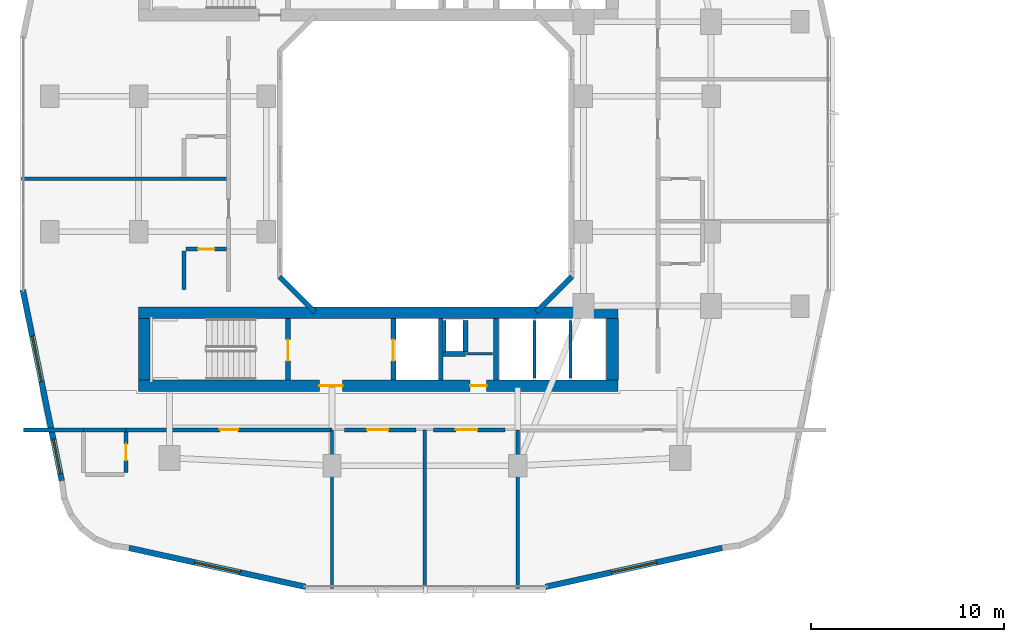
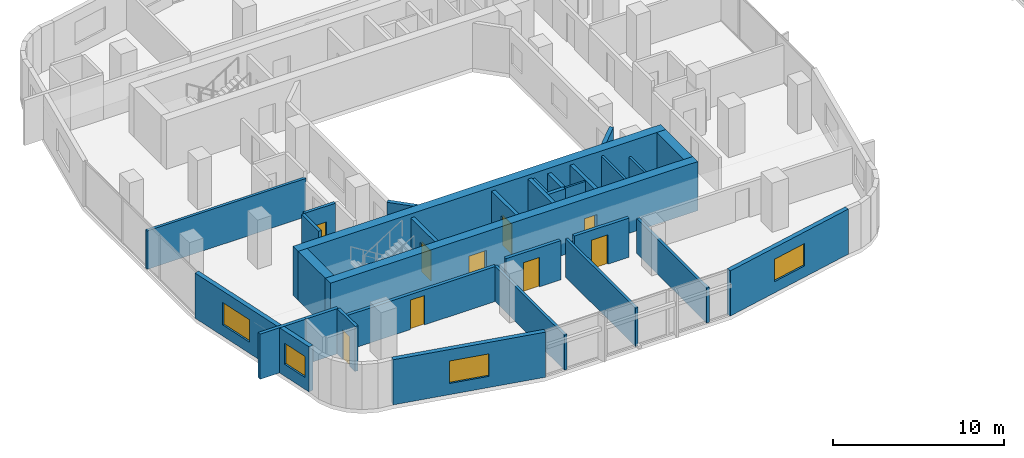
# One storey, part 13 of 26: 31 walls, 9 doors, 4 windows, 13 openings.
"""IFC4 building model written with IfcOpenShell, lengths in metres."""

from ifc_helpers import new_model, si_unit, derived_unit, direction, frame, frame_2d, origin, place, context, subcontext, project, spatial, rectangle, extrude, material, layer, layer_set, type_object, element, fill, save


model = new_model("IFC4")

# Units and contexts
model_context = context("Model", 3, precision=1e-05, world=origin(), true_north=direction((0.0, 1.0)))
body_context = subcontext(model_context, "Body", "Model", "MODEL_VIEW")
ifc_project = project(units=[si_unit("LENGTHUNIT", "METRE"), si_unit("AREAUNIT", "SQUARE_METRE"), si_unit("VOLUMEUNIT", "CUBIC_METRE"), si_unit("PLANEANGLEUNIT", "RADIAN"), si_unit("MASSUNIT", "GRAM", prefix="KILO"), derived_unit("THERMALTRANSMITTANCEUNIT", [(si_unit("POWERUNIT", "WATT"), 1), (si_unit("LENGTHUNIT", "METRE"), -2), (si_unit("THERMODYNAMICTEMPERATUREUNIT", "KELVIN"), -1)])], contexts=[model_context])

# Site, building, storey
site_placement = place(None, origin())
site = spatial("IfcSite", under=ifc_project, at=site_placement, CompositionType="ELEMENT")
building_placement = place(site_placement, origin())
building = spatial("IfcBuilding", under=site, at=building_placement, Name="Kivonza Crest Hotel", CompositionType="ELEMENT")
storey_placement = place(building_placement, frame((0.0, 0.0, 55.5)))
storey = spatial("IfcBuildingStorey", under=building, at=storey_placement, Name="L14", CompositionType="ELEMENT", Elevation=55.5)

# Walls
ifc_material_1 = material(Name="High-density acoustic masonry inter-tenancy wall", Category="masonry")
ifc_layer_1 = layer(ifc_material_1, 0.179931640625)
ifc_layer_set_1 = layer_set([ifc_layer_1], Name="High-density acoustic masonry inter-tenancy wall")
wall_type_1 = type_object("IfcWallType", Name="WL-ACOU-180", PredefinedType="SOLIDWALL", material=ifc_layer_set_1)
wall_1_placement = place(storey_placement, frame((16.199951171875, 3.06005859375, 0.0), z_axis=(0.0, 0.0, 1.0), x_axis=(0.0, 1.0, 0.0)))
element("IfcWall", 1, at=wall_1_placement, inside=storey, type_object=wall_type_1, Name="L14 interior partition WA-L14-T1S-DIV1", PredefinedType="SOLIDWALL", context=body_context, shape_type="SweptSolid", body=[
    extrude(rectangle(XDim=8.18994140625, YDim=0.179931640625, at=frame_2d((4.094970703125, 0.0))), origin(), (0.0, 0.0, 1.0), 2.4951171875),
])
wall_2_placement = place(storey_placement, frame((21.0, 3.06005859375, 0.0), z_axis=(0.0, 0.0, 1.0), x_axis=(0.0, 1.0, 0.0)))
element("IfcWall", 2, at=wall_2_placement, inside=storey, type_object=wall_type_1, Name="L14 interior partition WA-L14-T1S-SPDIV13", PredefinedType="SOLIDWALL", context=body_context, shape_type="SweptSolid", body=[
    extrude(rectangle(XDim=8.18994140625, YDim=0.179931640625, at=frame_2d((4.094970703125, 0.0))), origin(), (0.0, 0.0, 1.0), 2.7451171875),
])
wall_3_placement = place(storey_placement, frame((25.800048828125, 3.06005859375, 0.0), z_axis=(0.0, 0.0, 1.0), x_axis=(0.0, 1.0, 0.0)))
element("IfcWall", 3, at=wall_3_placement, inside=storey, type_object=wall_type_1, Name="L14 interior partition WA-L14-T1S-DIV2", PredefinedType="SOLIDWALL", context=body_context, shape_type="SweptSolid", body=[
    extrude(rectangle(XDim=8.18994140625, YDim=0.179931640625, at=frame_2d((4.094970703125, 0.0))), origin(), (0.0, 0.0, 1.0), 2.4951171875),
])
wall_4_placement = place(storey_placement, frame((0.139892578125, 24.22998046875, 0.0), z_axis=(0.0, 0.0, 1.0), x_axis=(1.0, 0.0, 0.0)))
element("IfcWall", 4, at=wall_4_placement, inside=storey, type_object=wall_type_1, Name="L14 interior partition WA-L14-T1W-DIV1", PredefinedType="SOLIDWALL", context=body_context, shape_type="SweptSolid", body=[
    extrude(rectangle(XDim=10.710205078125, YDim=0.179931640625, at=frame_2d((5.35498046875, 0.0))), origin(), (0.0, 0.0, 1.0), 2.7451171875),
])
ifc_material_2 = material(Name="Autoclaved aerated concrete blockwork", Category="masonry")
ifc_layer_2 = layer(ifc_material_2, 0.219970703125)
ifc_layer_set_2 = layer_set([ifc_layer_2], Name="Autoclaved aerated concrete blockwork")
wall_type_2 = type_object("IfcWallType", Name="WL-ACOU-220", PredefinedType="SOLIDWALL", material=ifc_layer_set_2)
wall_5_placement = place(storey_placement, frame((0.239990234375, 11.25, 0.0), z_axis=(0.0, 0.0, 1.0), x_axis=(1.0, 0.0, 0.0)))
element("IfcWall", 5, at=wall_5_placement, inside=storey, type_object=wall_type_2, Name="L14 interior partition WA-L14-S03-XCORR", PredefinedType="SOLIDWALL", context=body_context, shape_type="SweptSolid", body=[
    extrude(rectangle(XDim=3.110107421875, YDim=0.219970703125, at=frame_2d((1.55517578125, 0.0))), origin(), (0.0, 0.0, 1.0), 3.219970703125),
])
wall_6_placement = place(storey_placement, frame((3.35009765625, 11.25, 0.0), z_axis=(0.0, 0.0, 1.0), x_axis=(1.0, 0.0, 0.0)))
element("IfcWall", 6, at=wall_6_placement, inside=storey, type_object=wall_type_2, Name="L14 interior partition WA-L14-S03-BCORR", PredefinedType="SOLIDWALL", context=body_context, shape_type="SweptSolid", body=[
    extrude(rectangle(XDim=2.199951171875, YDim=0.219970703125, at=frame_2d((1.10009765625, 0.0))), origin(), (0.0, 0.0, 1.0), 3.219970703125),
])

# Wall, opening, door
wall_7_placement = place(storey_placement, frame((5.550048828125, 11.25, 0.0), z_axis=(0.0, 0.0, 1.0), x_axis=(1.0, 0.0, 0.0)))
wall_7 = element("IfcWall", 7, at=wall_7_placement, inside=storey, type_object=wall_type_2, Name="L14 interior partition WA-L14-S03-MCORR", PredefinedType="SOLIDWALL", context=body_context, shape_type="SweptSolid", body=[
    extrude(rectangle(XDim=10.64990234375, YDim=0.219970703125, at=frame_2d((5.324951171875, 0.0))), origin(), (0.0, 0.0, 1.0), 2.4951171875),
])
opening_1_placement = place(wall_7_placement, frame((4.85009765625, 0.0, 0.0)))
opening_1 = element("IfcOpeningElement", 8, at=opening_1_placement, cuts=wall_7, Name="Opening DU-60", PredefinedType="OPENING", context=body_context, shape_type="SweptSolid", body=[
    extrude(rectangle(XDim=0.949951171875, YDim=2.10009765625, at=frame_2d((0.47509765625, 1.050048828125))), frame((0.0, 0.1201171875, 0.0), z_axis=(0.0, -1.0, 0.0), x_axis=(1.0, 0.0, 0.0)), (0.0, 0.0, 1.0), 0.239990234375),
])
ifc_material_3 = material(Name="Hardwood timber oak", Category="wood")
door_type_1 = type_object("IfcDoorType", Name="DR-UNIT-950", OperationType="NOTDEFINED", PredefinedType="DOOR", material=ifc_material_3)
door_1_placement = place(opening_1_placement, frame((0.949951171875, 0.0, 0.0), z_axis=(0.0, 0.0, 1.0), x_axis=(-1.0, 0.0, 0.0)))
door_1 = element("IfcDoor", 9, at=door_1_placement, inside=storey, type_object=door_type_1, Name="L14 S03 guest unit entrance fire door", OperationType="SINGLE_SWING_LEFT", OverallHeight=2.10009765625, OverallWidth=0.949951171875, PredefinedType="DOOR", context=body_context, shape_type="SweptSolid", body=[
    extrude(rectangle(XDim=0.949951171875, YDim=2.10009765625, at=frame_2d((0.47509765625, 1.050048828125))), frame((0.0, 0.02490234375, 0.0), z_axis=(0.0, -1.0, 0.0), x_axis=(1.0, 0.0, 0.0)), (0.0, 0.0, 1.0), 0.050048828125),
])
fill(opening_1, door_1)

wall_8_placement = place(storey_placement, frame((16.85009765625, 11.25, 0.0), z_axis=(0.0, 0.0, 1.0), x_axis=(1.0, 0.0, 0.0)))
wall_8 = element("IfcWall", 10, at=wall_8_placement, inside=storey, type_object=wall_type_2, Name="L14 interior partition WA-L14-Z1-SPA13A-N", PredefinedType="SOLIDWALL", context=body_context, shape_type="SweptSolid", body=[
    extrude(rectangle(XDim=3.699951171875, YDim=0.219970703125, at=frame_2d((1.85009765625, 0.0))), origin(), (0.0, 0.0, 1.0), 2.794921875),
])
opening_2_placement = place(wall_8_placement, frame((1.159912109375, 0.0, 0.0)))
opening_2 = element("IfcOpeningElement", 11, at=opening_2_placement, cuts=wall_8, Name="Opening DF-60M", PredefinedType="OPENING", context=body_context, shape_type="SweptSolid", body=[
    extrude(rectangle(XDim=1.10009765625, YDim=2.10009765625, at=frame_2d((0.550048828125, 1.050048828125))), frame((0.0, 0.1201171875, 0.0), z_axis=(0.0, -1.0, 0.0), x_axis=(1.0, 0.0, 0.0)), (0.0, 0.0, 1.0), 0.239990234375),
])
door_type_2 = type_object("IfcDoorType", Name="DR-FD60-1100", OperationType="NOTDEFINED", PredefinedType="DOOR", material=ifc_material_3)
door_2_placement = place(opening_2_placement, frame((1.10009765625, 0.0, 0.0), z_axis=(0.0, 0.0, 1.0), x_axis=(-1.0, 0.0, 0.0)))
door_2 = element("IfcDoor", 12, at=door_2_placement, inside=storey, type_object=door_type_2, Name="L14 Low-Rise Fitness Studio door", OperationType="SINGLE_SWING_RIGHT", OverallHeight=2.10009765625, OverallWidth=1.10009765625, PredefinedType="DOOR", context=body_context, shape_type="SweptSolid", body=[
    extrude(rectangle(XDim=1.10009765625, YDim=2.10009765625, at=frame_2d((0.550048828125, 1.050048828125))), frame((0.0, 0.02490234375, 0.0), z_axis=(0.0, -1.0, 0.0), x_axis=(1.0, 0.0, 0.0)), (0.0, 0.0, 1.0), 0.050048828125),
])
fill(opening_2, door_2)

wall_9_placement = place(storey_placement, frame((21.449951171875, 11.25, 0.0), z_axis=(0.0, 0.0, 1.0), x_axis=(1.0, 0.0, 0.0)))
wall_9 = element("IfcWall", 13, at=wall_9_placement, inside=storey, type_object=wall_type_2, Name="L14 interior partition WA-L14-Z1-SPA13B-N", PredefinedType="SOLIDWALL", context=body_context, shape_type="SweptSolid", body=[
    extrude(rectangle(XDim=3.699951171875, YDim=0.219970703125, at=frame_2d((1.85009765625, 0.0))), origin(), (0.0, 0.0, 1.0), 2.794921875),
])
opening_3_placement = place(wall_9_placement, frame((1.159912109375, 0.0, 0.0)))
opening_3 = element("IfcOpeningElement", 14, at=opening_3_placement, cuts=wall_9, Name="Opening DF-60M", PredefinedType="OPENING", context=body_context, shape_type="SweptSolid", body=[
    extrude(rectangle(XDim=1.10009765625, YDim=2.10009765625, at=frame_2d((0.550048828125, 1.050048828125))), frame((0.0, 0.1201171875, 0.0), z_axis=(0.0, -1.0, 0.0), x_axis=(1.0, 0.0, 0.0)), (0.0, 0.0, 1.0), 0.239990234375),
])
door_3_placement = place(opening_3_placement, frame((1.10009765625, 0.0, 0.0), z_axis=(0.0, 0.0, 1.0), x_axis=(-1.0, 0.0, 0.0)))
door_3 = element("IfcDoor", 15, at=door_3_placement, inside=storey, type_object=door_type_2, Name="L14 Low-Rise Pilates Studio door", OperationType="SINGLE_SWING_LEFT", OverallHeight=2.10009765625, OverallWidth=1.10009765625, PredefinedType="DOOR", context=body_context, shape_type="SweptSolid", body=[
    extrude(rectangle(XDim=1.10009765625, YDim=2.10009765625, at=frame_2d((0.550048828125, 1.050048828125))), frame((0.0, 0.02490234375, 0.0), z_axis=(0.0, -1.0, 0.0), x_axis=(1.0, 0.0, 0.0)), (0.0, 0.0, 1.0), 0.050048828125),
])
fill(opening_3, door_3)

# Wall, openings, doors
ifc_material_4 = material(Name="Concrete C60/75", Category="concrete")
ifc_layer_3 = layer(ifc_material_4, 0.60009765625)
ifc_layer_set_3 = layer_set([ifc_layer_3], Name="Concrete C60/75")
wall_type_3 = type_object("IfcWallType", Name="WL-CORE-600", PredefinedType="SHEAR", material=ifc_layer_set_3)
wall_10_placement = place(storey_placement, frame((6.199951171875, 13.5400390625, 0.0), z_axis=(0.0, 0.0, 1.0), x_axis=(1.0, 0.0, 0.0)))
wall_10 = element("IfcWall", 16, at=wall_10_placement, inside=storey, type_object=wall_type_3, Name="Core wall T1-S South L14", PredefinedType="SHEAR", context=body_context, shape_type="SweptSolid", body=[
    extrude(rectangle(XDim=24.800048828125, YDim=0.60009765625, at=frame_2d((12.39990234375, 0.0))), origin(), (0.0, 0.0, 1.0), 3.5),
])
opening_4_placement = place(wall_10_placement, frame((9.35009765625, 0.0, 0.0)))
opening_4 = element("IfcOpeningElement", 17, at=opening_4_placement, cuts=wall_10, Name="Opening DF-60", PredefinedType="OPENING", context=body_context, shape_type="SweptSolid", body=[
    extrude(rectangle(XDim=1.199951171875, YDim=2.14990234375, at=frame_2d((0.60009765625, 1.074951171875))), frame((0.0, 0.31005859375, 0.0), z_axis=(0.0, -1.0, 0.0), x_axis=(1.0, 0.0, 0.0)), (0.0, 0.0, 1.0), 0.6201171875),
])
opening_5_placement = place(wall_10_placement, frame((17.139892578125, 0.0, 0.0)))
opening_5 = element("IfcOpeningElement", 18, at=opening_5_placement, cuts=wall_10, Name="Opening DF-60R", PredefinedType="OPENING", context=body_context, shape_type="SweptSolid", body=[
    extrude(rectangle(XDim=0.85009765625, YDim=2.10009765625, at=frame_2d((0.425048828125, 1.050048828125))), frame((0.0, 0.31005859375, 0.0), z_axis=(0.0, -1.0, 0.0), x_axis=(1.0, 0.0, 0.0)), (0.0, 0.0, 1.0), 0.6201171875),
])
door_type_3 = type_object("IfcDoorType", Name="DR-FD60-1200", OperationType="NOTDEFINED", PredefinedType="DOOR", material=ifc_material_3)
door_4_placement = place(opening_4_placement, frame((1.199951171875, 0.0, 0.0), z_axis=(0.0, 0.0, 1.0), x_axis=(-1.0, 0.0, 0.0)))
door_4 = element("IfcDoor", 19, at=door_4_placement, inside=storey, type_object=door_type_3, Name="L14 T1-S firefighting lobby fire door", OperationType="SINGLE_SWING_LEFT", OverallHeight=2.14990234375, OverallWidth=1.199951171875, PredefinedType="DOOR", context=body_context, shape_type="SweptSolid", body=[
    extrude(rectangle(XDim=1.199951171875, YDim=2.14990234375, at=frame_2d((0.60009765625, 1.074951171875))), frame((0.0, 0.02490234375, 0.0), z_axis=(0.0, -1.0, 0.0), x_axis=(1.0, 0.0, 0.0)), (0.0, 0.0, 1.0), 0.050048828125),
])
fill(opening_4, door_4)
door_type_4 = type_object("IfcDoorType", Name="DR-FD60-850", OperationType="NOTDEFINED", PredefinedType="DOOR", material=ifc_material_3)
door_5_placement = place(opening_5_placement, frame((0.85009765625, 0.0, 0.0), z_axis=(0.0, 0.0, 1.0), x_axis=(-1.0, 0.0, 0.0)))
door_5 = element("IfcDoor", 20, at=door_5_placement, inside=storey, type_object=door_type_4, Name="L14 T1-S core room door", OperationType="SINGLE_SWING_RIGHT", OverallHeight=2.10009765625, OverallWidth=0.85009765625, PredefinedType="DOOR", context=body_context, shape_type="SweptSolid", body=[
    extrude(rectangle(XDim=0.85009765625, YDim=2.10009765625, at=frame_2d((0.425048828125, 1.050048828125))), frame((0.0, 0.02490234375, 0.0), z_axis=(0.0, -1.0, 0.0), x_axis=(1.0, 0.0, 0.0)), (0.0, 0.0, 1.0), 0.050048828125),
])
fill(opening_5, door_5)

# Walls
wall_11_placement = place(storey_placement, frame((6.199951171875, 17.300048828125, 0.0), z_axis=(0.0, 0.0, 1.0), x_axis=(1.0, 0.0, 0.0)))
element("IfcWall", 21, at=wall_11_placement, inside=storey, type_object=wall_type_3, Name="Core wall T1-S North L14", PredefinedType="SHEAR", context=body_context, shape_type="SweptSolid", body=[
    extrude(rectangle(XDim=24.800048828125, YDim=0.60009765625, at=frame_2d((12.39990234375, 0.0))), origin(), (0.0, 0.0, 1.0), 3.5),
])
for number, where, z_axis, x_axis, name in (
    (22, (6.5, 13.840087890625, 0.0), (0.0, 0.0, 1.0), (0.0, 1.0, 0.0), "Core wall T1-S West L14"),
    (23, (30.699951171875, 13.840087890625, 0.0), (0.0, 0.0, 1.0), (0.0, 1.0, 0.0), "Core wall T1-S East L14"),
):
    element("IfcWall", number, at=place(storey_placement, frame(where, z_axis=z_axis, x_axis=x_axis)), inside=storey, type_object=wall_type_3, Name=name, PredefinedType="SHEAR", context=body_context, shape_type="SweptSolid", body=[
        extrude(rectangle(XDim=3.159912109375, YDim=0.60009765625, at=frame_2d((1.580078125, 0.0))), origin(), (0.0, 0.0, 1.0), 3.5),
    ])
ifc_material_5 = material(Name="Precast concrete C40/50", Category="concrete")
ifc_layer_4 = layer(ifc_material_5, 0.260009765625)
ifc_layer_set_4 = layer_set([ifc_layer_4], Name="Precast concrete C40/50")
wall_type_4 = type_object("IfcWallType", Name="WL-EXT-260", PredefinedType="STANDARD", material=ifc_layer_set_4)
wall_12_placement = place(storey_placement, frame((26.761962890625, 17.337890625, 0.0), z_axis=(0.0, 0.0, 1.0), x_axis=(0.707059717605, 0.707153841636, 0.0)))
element("IfcWall", 24, at=wall_12_placement, inside=storey, type_object=wall_type_4, Name="L14 T1 light-well exterior wall 2", PredefinedType="STANDARD", context=body_context, shape_type="SweptSolid", body=[
    extrude(rectangle(XDim=2.59375, YDim=0.260009765625, at=frame_2d((1.296875, 0.0))), origin(), (0.0, 0.0, 1.0), 3.219970703125),
])
wall_13_placement = place(storey_placement, frame((13.48388671875, 19.172119140625, 0.0), z_axis=(0.0, 0.0, 1.0), x_axis=(0.707106781187, -0.707106781187, 0.0)))
element("IfcWall", 25, at=wall_13_placement, inside=storey, type_object=wall_type_4, Name="L14 T1 light-well exterior wall 8", PredefinedType="STANDARD", context=body_context, shape_type="SweptSolid", body=[
    extrude(rectangle(XDim=2.593994140625, YDim=0.260009765625, at=frame_2d((1.296875, 0.0))), origin(), (0.0, 0.0, 1.0), 3.219970703125),
])

# Wall, opening, window
ifc_layer_5 = layer(ifc_material_5, 0.300048828125)
ifc_layer_set_5 = layer_set([ifc_layer_5], Name="Precast concrete C40/50")
wall_type_5 = type_object("IfcWallType", Name="WL-EXT-300", PredefinedType="STANDARD", material=ifc_layer_set_5)
wall_14_placement = place(storey_placement, frame((5.7041015625, 5.14794921875, 0.0), z_axis=(0.0, 0.0, 1.0), x_axis=(0.9765437942, -0.215318875183, 0.0)))
wall_14 = element("IfcWall", 26, at=wall_14_placement, inside=storey, type_object=wall_type_5, Name="L14 T1 exterior insulated wall 7", PredefinedType="STANDARD", context=body_context, shape_type="SweptSolid", body=[
    extrude(rectangle(XDim=9.353271484375, YDim=0.300048828125, at=frame_2d((4.6767578125, 0.0))), origin(), (0.0, 0.0, 1.0), 3.219970703125),
])
opening_6_placement = place(wall_14_placement, frame((3.47705078125, 0.0, 0.800048828125)))
opening_6 = element("IfcOpeningElement", 27, at=opening_6_placement, cuts=wall_14, Name="Opening WN-05", PredefinedType="OPENING", context=body_context, shape_type="SweptSolid", body=[
    extrude(rectangle(XDim=2.39990234375, YDim=1.60009765625, at=frame_2d((1.199951171875, 0.800048828125))), frame((0.0, 0.16015625, 0.0), z_axis=(0.0, -1.0, 0.0), x_axis=(1.0, 0.0, 0.0)), (0.0, 0.0, 1.0), 0.320068359375),
])
ifc_material_6 = material(Name="Thermally broken bronze aluminium and low-E double glazing", Category="aluminium")
window_type_1 = type_object("IfcWindowType", Name="WN-240x160", PartitioningType="TRIPLE_PANEL_VERTICAL", PredefinedType="WINDOW", material=ifc_material_6)
window_1_placement = place(opening_6_placement, origin())
window_1 = element("IfcWindow", 28, at=window_1_placement, inside=storey, type_object=window_type_1, Name="L14 T1 facade window 7", OverallHeight=1.60009765625, OverallWidth=2.39990234375, PartitioningType="SINGLE_PANEL", PredefinedType="WINDOW", context=body_context, shape_type="SweptSolid", body=[
    extrude(rectangle(XDim=2.39990234375, YDim=1.60009765625, at=frame_2d((1.199951171875, 0.800048828125))), frame((0.0, 0.030029296875, 0.0), z_axis=(0.0, -1.0, 0.0), x_axis=(1.0, 0.0, 0.0)), (0.0, 0.0, 1.0), 0.06005859375),
])
fill(opening_6, window_1)

wall_15_placement = place(storey_placement, frame((27.241943359375, 3.134033203125, 0.0), z_axis=(0.0, 0.0, 1.0), x_axis=(0.97654500432, 0.215313386808, 0.0)))
wall_15 = element("IfcWall", 29, at=wall_15_placement, inside=storey, type_object=wall_type_5, Name="L14 T1 exterior insulated wall 9", PredefinedType="STANDARD", context=body_context, shape_type="SweptSolid", body=[
    extrude(rectangle(XDim=9.353515625, YDim=0.300048828125, at=frame_2d((4.6767578125, 0.0))), origin(), (0.0, 0.0, 1.0), 3.219970703125),
])
opening_7_placement = place(wall_15_placement, frame((3.47705078125, 0.0, 0.800048828125)))
opening_7 = element("IfcOpeningElement", 30, at=opening_7_placement, cuts=wall_15, Name="Opening WN-05", PredefinedType="OPENING", context=body_context, shape_type="SweptSolid", body=[
    extrude(rectangle(XDim=2.39990234375, YDim=1.60009765625, at=frame_2d((1.199951171875, 0.800048828125))), frame((0.0, 0.16015625, 0.0), z_axis=(0.0, -1.0, 0.0), x_axis=(1.0, 0.0, 0.0)), (0.0, 0.0, 1.0), 0.320068359375),
])
window_2_placement = place(opening_7_placement, origin())
window_2 = element("IfcWindow", 31, at=window_2_placement, inside=storey, type_object=window_type_1, Name="L14 T1 facade window 9", OverallHeight=1.60009765625, OverallWidth=2.39990234375, PartitioningType="SINGLE_PANEL", PredefinedType="WINDOW", context=body_context, shape_type="SweptSolid", body=[
    extrude(rectangle(XDim=2.39990234375, YDim=1.60009765625, at=frame_2d((1.199951171875, 0.800048828125))), frame((0.0, 0.030029296875, 0.0), z_axis=(0.0, -1.0, 0.0), x_axis=(1.0, 0.0, 0.0)), (0.0, 0.0, 1.0), 0.06005859375),
])
fill(opening_7, window_2)

# Wall, openings, windows
wall_16_placement = place(storey_placement, frame((0.216064453125, 18.48388671875, 0.0), z_axis=(0.0, 0.0, 1.0), x_axis=(0.199990901713, -0.979797754249, 0.0)))
wall_16 = element("IfcWall", 32, at=wall_16_placement, inside=storey, type_object=wall_type_5, Name="L14 T1 exterior insulated wall 36", PredefinedType="STANDARD", context=body_context, shape_type="SweptSolid", body=[
    extrude(rectangle(XDim=10.065185546875, YDim=0.300048828125, at=frame_2d((5.03271484375, 0.0))), origin(), (0.0, 0.0, 1.0), 3.219970703125),
])
opening_8_placement = place(wall_16_placement, frame((2.428955078125, 0.0, 0.800048828125)))
opening_8 = element("IfcOpeningElement", 33, at=opening_8_placement, cuts=wall_16, Name="Opening WN-05", PredefinedType="OPENING", context=body_context, shape_type="SweptSolid", body=[
    extrude(rectangle(XDim=2.39990234375, YDim=1.60009765625, at=frame_2d((1.199951171875, 0.800048828125))), frame((0.0, 0.16015625, 0.0), z_axis=(0.0, -1.0, 0.0), x_axis=(1.0, 0.0, 0.0)), (0.0, 0.0, 1.0), 0.320068359375),
])
opening_9_placement = place(wall_16_placement, frame((7.886962890625, 0.0, 0.85009765625)))
opening_9 = element("IfcOpeningElement", 34, at=opening_9_placement, cuts=wall_16, Name="Opening WN-03", PredefinedType="OPENING", context=body_context, shape_type="SweptSolid", body=[
    extrude(rectangle(XDim=1.800048828125, YDim=1.5, at=frame_2d((0.89990234375, 0.75))), frame((0.0, 0.16015625, 0.0), z_axis=(0.0, -1.0, 0.0), x_axis=(1.0, 0.0, 0.0)), (0.0, 0.0, 1.0), 0.320068359375),
])
window_type_2 = type_object("IfcWindowType", Name="WN-180x150", PartitioningType="DOUBLE_PANEL_VERTICAL", PredefinedType="WINDOW", material=ifc_material_6)
window_3_placement = place(opening_9_placement, origin())
window_3 = element("IfcWindow", 35, at=window_3_placement, inside=storey, type_object=window_type_2, Name="L14 T1 facade window 36 bay 2", OverallHeight=1.5, OverallWidth=1.800048828125, PartitioningType="SINGLE_PANEL", PredefinedType="WINDOW", context=body_context, shape_type="SweptSolid", body=[
    extrude(rectangle(XDim=1.800048828125, YDim=1.5, at=frame_2d((0.89990234375, 0.75))), frame((0.0, 0.030029296875, 0.0), z_axis=(0.0, -1.0, 0.0), x_axis=(1.0, 0.0, 0.0)), (0.0, 0.0, 1.0), 0.06005859375),
])
fill(opening_9, window_3)
window_4_placement = place(opening_8_placement, origin())
window_4 = element("IfcWindow", 36, at=window_4_placement, inside=storey, type_object=window_type_1, Name="L14 T1 facade window 36 bay 1", OverallHeight=1.60009765625, OverallWidth=2.39990234375, PartitioningType="SINGLE_PANEL", PredefinedType="WINDOW", context=body_context, shape_type="SweptSolid", body=[
    extrude(rectangle(XDim=2.39990234375, YDim=1.60009765625, at=frame_2d((1.199951171875, 0.800048828125))), frame((0.0, 0.030029296875, 0.0), z_axis=(0.0, -1.0, 0.0), x_axis=(1.0, 0.0, 0.0)), (0.0, 0.0, 1.0), 0.06005859375),
])
fill(opening_8, window_4)

# Walls
ifc_material_7 = material(Name="Concrete blockwork fire-compartment wall", Category="masonry")
ifc_layer_6 = layer(ifc_material_7, 0.25)
ifc_layer_set_6 = layer_set([ifc_layer_6], Name="Concrete blockwork fire-compartment wall")
wall_type_6 = type_object("IfcWallType", Name="WL-FIRE-250", PredefinedType="SOLIDWALL", material=ifc_layer_set_6)
wall_17_placement = place(storey_placement, frame((23.10009765625, 15.280029296875, 0.0), z_axis=(0.0, 0.0, 1.0), x_axis=(0.0, 1.0, 0.0)))
element("IfcWall", 37, at=wall_17_placement, inside=storey, type_object=wall_type_6, Name="L14 interior partition WA-L14-T1-S-MEPR-E", PredefinedType="SOLIDWALL", context=body_context, shape_type="SweptSolid", body=[
    extrude(rectangle(XDim=1.619873046875, YDim=0.25, at=frame_2d((0.81005859375, 0.0))), origin(), (0.0, 0.0, 1.0), 3.219970703125),
])
wall_18_placement = place(storey_placement, frame((21.949951171875, 15.179931640625, 0.0), z_axis=(0.0, 0.0, 1.0), x_axis=(1.0, 0.0, 0.0)))
element("IfcWall", 38, at=wall_18_placement, inside=storey, type_object=wall_type_6, Name="L14 interior partition WA-L14-T1-S-MEPR-H", PredefinedType="SOLIDWALL", context=body_context, shape_type="SweptSolid", body=[
    extrude(rectangle(XDim=1.150146484375, YDim=0.25, at=frame_2d((0.5751953125, 0.0))), origin(), (0.0, 0.0, 1.0), 3.219970703125),
])
ifc_material_8 = material(Name="Metal-stud gypsum board partition", Category="gypsum")
ifc_layer_7 = layer(ifc_material_8, 0.125)
ifc_layer_set_7 = layer_set([ifc_layer_7], Name="Metal-stud gypsum board partition")
wall_type_7 = type_object("IfcWallType", Name="WL-PART-125", PredefinedType="PARTITIONING", material=ifc_layer_set_7)
wall_19_placement = place(storey_placement, frame((23.14990234375, 15.179931640625, 0.0), z_axis=(0.0, 0.0, 1.0), x_axis=(1.0, 0.0, 0.0)))
element("IfcWall", 39, at=wall_19_placement, inside=storey, type_object=wall_type_7, Name="L14 interior partition WP-L14-T1-S-SV2H", PredefinedType="PARTITIONING", context=body_context, shape_type="SweptSolid", body=[
    extrude(rectangle(XDim=1.35009765625, YDim=0.125, at=frame_2d((0.675048828125, 0.0))), origin(), (0.0, 0.0, 1.0), 3.219970703125),
])
ifc_material_9 = material(Name="Twin-stud acoustic gypsum board partition", Category="gypsum")
ifc_layer_8 = layer(ifc_material_9, 0.14990234375)
ifc_layer_set_8 = layer_set([ifc_layer_8], Name="Twin-stud acoustic gypsum board partition")
wall_type_8 = type_object("IfcWallType", Name="WL-PART-150", PredefinedType="PARTITIONING", material=ifc_layer_set_8)
wall_20_placement = place(storey_placement, frame((22.030029296875, 15.280029296875, 0.0), z_axis=(0.0, 0.0, 1.0), x_axis=(0.0, 1.0, 0.0)))
element("IfcWall", 40, at=wall_20_placement, inside=storey, type_object=wall_type_8, Name="L14 interior partition WA-L14-T1-S-MEPR-W", PredefinedType="PARTITIONING", context=body_context, shape_type="SweptSolid", body=[
    extrude(rectangle(XDim=1.619873046875, YDim=0.14990234375, at=frame_2d((0.81005859375, 0.0))), origin(), (0.0, 0.0, 1.0), 3.219970703125),
])
wall_21_placement = place(storey_placement, frame((26.6669921875, 13.93994140625, 0.0), z_axis=(0.0, 0.0, 1.0), x_axis=(0.0, 1.0, 0.0)))
element("IfcWall", 41, at=wall_21_placement, inside=storey, type_object=wall_type_8, Name="L14 interior partition WP-L14-T1-S-BSH-1", PredefinedType="PARTITIONING", context=body_context, shape_type="SweptSolid", body=[
    extrude(rectangle(XDim=2.9599609375, YDim=0.14990234375, at=frame_2d((1.47998046875, 0.0))), origin(), (0.0, 0.0, 1.0), 3.219970703125),
])
wall_22_placement = place(storey_placement, frame((28.532958984375, 13.93994140625, 0.0), z_axis=(0.0, 0.0, 1.0), x_axis=(0.0, 1.0, 0.0)))
element("IfcWall", 42, at=wall_22_placement, inside=storey, type_object=wall_type_8, Name="L14 interior partition WP-L14-T1-S-BSH-2", PredefinedType="PARTITIONING", context=body_context, shape_type="SweptSolid", body=[
    extrude(rectangle(XDim=2.9599609375, YDim=0.14990234375, at=frame_2d((1.47998046875, 0.0))), origin(), (0.0, 0.0, 1.0), 2.4951171875),
])

# Wall, opening, door
ifc_material_10 = material(Name="Moisture-resistant plumbing chase partition wall", Category="gypsum")
ifc_layer_9 = layer(ifc_material_10, 0.199951171875)
ifc_layer_set_9 = layer_set([ifc_layer_9], Name="Moisture-resistant plumbing chase partition wall")
wall_type_9 = type_object("IfcWallType", Name="WL-PLUMB-200", PredefinedType="PLUMBINGWALL", material=ifc_layer_set_9)
wall_23_placement = place(storey_placement, frame((5.550048828125, 9.050048828125, 0.0), z_axis=(0.0, 0.0, 1.0), x_axis=(0.0, 1.0, 0.0)))
wall_23 = element("IfcWall", 43, at=wall_23_placement, inside=storey, type_object=wall_type_9, Name="L14 interior partition WW-L14-S03-BV", PredefinedType="PLUMBINGWALL", context=body_context, shape_type="SweptSolid", body=[
    extrude(rectangle(XDim=2.099853515625, YDim=0.199951171875, at=frame_2d((1.0498046875, 0.0))), origin(), (0.0, 0.0, 1.0), 3.219970703125),
])
opening_10_placement = place(wall_23_placement, frame((0.625, 0.0, 0.0)))
opening_10 = element("IfcOpeningElement", 44, at=opening_10_placement, cuts=wall_23, Name="Opening DI-85", PredefinedType="OPENING", context=body_context, shape_type="SweptSolid", body=[
    extrude(rectangle(XDim=0.85009765625, YDim=2.10009765625, at=frame_2d((0.425048828125, 1.050048828125))), frame((0.0, 0.10986328125, 0.0), z_axis=(0.0, -1.0, 0.0), x_axis=(1.0, 0.0, 0.0)), (0.0, 0.0, 1.0), 0.219970703125),
])
door_type_5 = type_object("IfcDoorType", Name="DR-INT-850", OperationType="NOTDEFINED", PredefinedType="DOOR", material=ifc_material_3)
door_6_placement = place(opening_10_placement, frame((0.85009765625, 0.0, 0.0), z_axis=(0.0, 0.0, 1.0), x_axis=(-1.0, 0.0, 0.0)))
door_6 = element("IfcDoor", 45, at=door_6_placement, inside=storey, type_object=door_type_5, Name="L14 S03 en-suite bathroom door", OperationType="SINGLE_SWING_RIGHT", OverallHeight=2.10009765625, OverallWidth=0.85009765625, PredefinedType="DOOR", context=body_context, shape_type="SweptSolid", body=[
    extrude(rectangle(XDim=0.85009765625, YDim=2.10009765625, at=frame_2d((0.425048828125, 1.050048828125))), frame((0.0, 0.02490234375, 0.0), z_axis=(0.0, -1.0, 0.0), x_axis=(1.0, 0.0, 0.0)), (0.0, 0.0, 1.0), 0.050048828125),
])
fill(opening_10, door_6)

wall_24_placement = place(storey_placement, frame((8.64990234375, 20.60009765625, 0.0), z_axis=(0.0, 0.0, 1.0), x_axis=(1.0, 0.0, 0.0)))
wall_24 = element("IfcWall", 46, at=wall_24_placement, inside=storey, type_object=wall_type_9, Name="L14 interior partition WW-L14-W04-BH", PredefinedType="PLUMBINGWALL", context=body_context, shape_type="SweptSolid", body=[
    extrude(rectangle(XDim=2.10009765625, YDim=0.199951171875, at=frame_2d((1.050048828125, 0.0))), origin(), (0.0, 0.0, 1.0), 3.219970703125),
])
opening_11_placement = place(wall_24_placement, frame((0.625, 0.0, 0.0)))
opening_11 = element("IfcOpeningElement", 47, at=opening_11_placement, cuts=wall_24, Name="Opening DI-85", PredefinedType="OPENING", context=body_context, shape_type="SweptSolid", body=[
    extrude(rectangle(XDim=0.85009765625, YDim=2.10009765625, at=frame_2d((0.425048828125, 1.050048828125))), frame((0.0, 0.10986328125, 0.0), z_axis=(0.0, -1.0, 0.0), x_axis=(1.0, 0.0, 0.0)), (0.0, 0.0, 1.0), 0.219970703125),
])
door_7_placement = place(opening_11_placement, origin())
door_7 = element("IfcDoor", 48, at=door_7_placement, inside=storey, type_object=door_type_5, Name="L14 W04 en-suite bathroom door", OperationType="SINGLE_SWING_LEFT", OverallHeight=2.10009765625, OverallWidth=0.85009765625, PredefinedType="DOOR", context=body_context, shape_type="SweptSolid", body=[
    extrude(rectangle(XDim=0.85009765625, YDim=2.10009765625, at=frame_2d((0.425048828125, 1.050048828125))), frame((0.0, 0.02490234375, 0.0), z_axis=(0.0, -1.0, 0.0), x_axis=(1.0, 0.0, 0.0)), (0.0, 0.0, 1.0), 0.050048828125),
])
fill(opening_11, door_7)

# Wall
wall_25_placement = place(storey_placement, frame((8.550048828125, 18.5, 0.0), z_axis=(0.0, 0.0, 1.0), x_axis=(0.0, 1.0, 0.0)))
element("IfcWall", 49, at=wall_25_placement, inside=storey, type_object=wall_type_9, Name="L14 interior partition WW-L14-W04-BV", PredefinedType="PLUMBINGWALL", context=body_context, shape_type="SweptSolid", body=[
    extrude(rectangle(XDim=2.0, YDim=0.199951171875, at=frame_2d((1.0, 0.0))), origin(), (0.0, 0.0, 1.0), 3.219970703125),
])

# Wall, opening, door
ifc_material_11 = material(Name="Concrete C50/60", Category="concrete")
ifc_layer_10 = layer(ifc_material_11, 0.25)
ifc_layer_set_10 = layer_set([ifc_layer_10], Name="Concrete C50/60")
wall_type_10 = type_object("IfcWallType", Name="WL-SHAFT-250", PredefinedType="STANDARD", material=ifc_layer_set_10)
wall_26_placement = place(storey_placement, frame((13.925048828125, 13.840087890625, 0.0), z_axis=(0.0, 0.0, 1.0), x_axis=(0.0, 1.0, 0.0)))
wall_26 = element("IfcWall", 50, at=wall_26_placement, inside=storey, type_object=wall_type_10, Name="Core shaft wall T1-S STAIR L14", PredefinedType="STANDARD", context=body_context, shape_type="SweptSolid", body=[
    extrude(rectangle(XDim=3.159912109375, YDim=0.25, at=frame_2d((1.580078125, 0.0))), origin(), (0.0, 0.0, 1.0), 3.219970703125),
])
opening_12_placement = place(wall_26_placement, frame((0.97998046875, 0.0, 0.0)))
opening_12 = element("IfcOpeningElement", 51, at=opening_12_placement, cuts=wall_26, Name="Opening DF-120", PredefinedType="OPENING", context=body_context, shape_type="SweptSolid", body=[
    extrude(rectangle(XDim=1.10009765625, YDim=2.14990234375, at=frame_2d((0.550048828125, 1.074951171875))), frame((0.0, 0.135009765625, 0.0), z_axis=(0.0, -1.0, 0.0), x_axis=(1.0, 0.0, 0.0)), (0.0, 0.0, 1.0), 0.27001953125),
])
ifc_material_12 = material(Name="Galvanised steel", Category="steel")
door_type_6 = type_object("IfcDoorType", Name="DR-FD120-1100", OperationType="NOTDEFINED", PredefinedType="DOOR", material=ifc_material_12)
door_8_placement = place(opening_12_placement, frame((1.10009765625, 0.0, 0.0), z_axis=(0.0, 0.0, 1.0), x_axis=(-1.0, 0.0, 0.0)))
door_8 = element("IfcDoor", 52, at=door_8_placement, inside=storey, type_object=door_type_6, Name="L14 T1-S stair fire door", OperationType="SINGLE_SWING_RIGHT", OverallHeight=2.14990234375, OverallWidth=1.10009765625, PredefinedType="DOOR", context=body_context, shape_type="SweptSolid", body=[
    extrude(rectangle(XDim=1.10009765625, YDim=2.14990234375, at=frame_2d((0.550048828125, 1.074951171875))), frame((0.0, 0.02490234375, 0.0), z_axis=(0.0, -1.0, 0.0), x_axis=(1.0, 0.0, 0.0)), (0.0, 0.0, 1.0), 0.050048828125),
])
fill(opening_12, door_8)

wall_27_placement = place(storey_placement, frame((19.375, 13.840087890625, 0.0), z_axis=(0.0, 0.0, 1.0), x_axis=(0.0, 1.0, 0.0)))
wall_27 = element("IfcWall", 53, at=wall_27_placement, inside=storey, type_object=wall_type_10, Name="Core shaft wall T1-S FFL-W L14", PredefinedType="STANDARD", context=body_context, shape_type="SweptSolid", body=[
    extrude(rectangle(XDim=3.159912109375, YDim=0.25, at=frame_2d((1.580078125, 0.0))), origin(), (0.0, 0.0, 1.0), 3.219970703125),
])
opening_13_placement = place(wall_27_placement, frame((0.97998046875, 0.0, 0.0)))
opening_13 = element("IfcOpeningElement", 54, at=opening_13_placement, cuts=wall_27, Name="Opening LD-120", PredefinedType="OPENING", context=body_context, shape_type="SweptSolid", body=[
    extrude(rectangle(XDim=1.10009765625, YDim=2.14990234375, at=frame_2d((0.550048828125, 1.074951171875))), frame((0.0, 0.135009765625, 0.0), z_axis=(0.0, -1.0, 0.0), x_axis=(1.0, 0.0, 0.0)), (0.0, 0.0, 1.0), 0.27001953125),
])
ifc_material_13 = material(Name="Stainless steel", Category="steel")
door_type_7 = type_object("IfcDoorType", Name="DR-LD120-1100", OperationType="NOTDEFINED", PredefinedType="DOOR", material=ifc_material_13)
door_9_placement = place(opening_13_placement, origin())
door_9 = element("IfcDoor", 55, at=door_9_placement, inside=storey, type_object=door_type_7, Name="L14 FFL-T1-S firefighting lift sliding landing door", OperationType="DOUBLE_DOOR_SLIDING", OverallHeight=2.14990234375, OverallWidth=1.10009765625, PredefinedType="DOOR", context=body_context, shape_type="SweptSolid", body=[
    extrude(rectangle(XDim=1.10009765625, YDim=2.14990234375, at=frame_2d((0.550048828125, 1.074951171875))), frame((0.0, 0.02490234375, 0.0), z_axis=(0.0, -1.0, 0.0), x_axis=(1.0, 0.0, 0.0)), (0.0, 0.0, 1.0), 0.050048828125),
])
fill(opening_13, door_9)

# Walls
for number, where, z_axis, x_axis, name in (
    (56, (21.824951171875, 13.840087890625, 0.0), (0.0, 0.0, 1.0), (0.0, 1.0, 0.0), "Core shaft wall T1-S FFL-E L14"),
    (57, (24.675048828125, 13.840087890625, 0.0), (0.0, 0.0, 1.0), (0.0, 1.0, 0.0), "Core shaft wall T1-S BANK-W L14"),
):
    element("IfcWall", number, at=place(storey_placement, frame(where, z_axis=z_axis, x_axis=x_axis)), inside=storey, type_object=wall_type_10, Name=name, PredefinedType="STANDARD", context=body_context, shape_type="SweptSolid", body=[
        extrude(rectangle(XDim=3.159912109375, YDim=0.25, at=frame_2d((1.580078125, 0.0))), origin(), (0.0, 0.0, 1.0), 3.219970703125),
    ])

save(model, "model.ifc")
